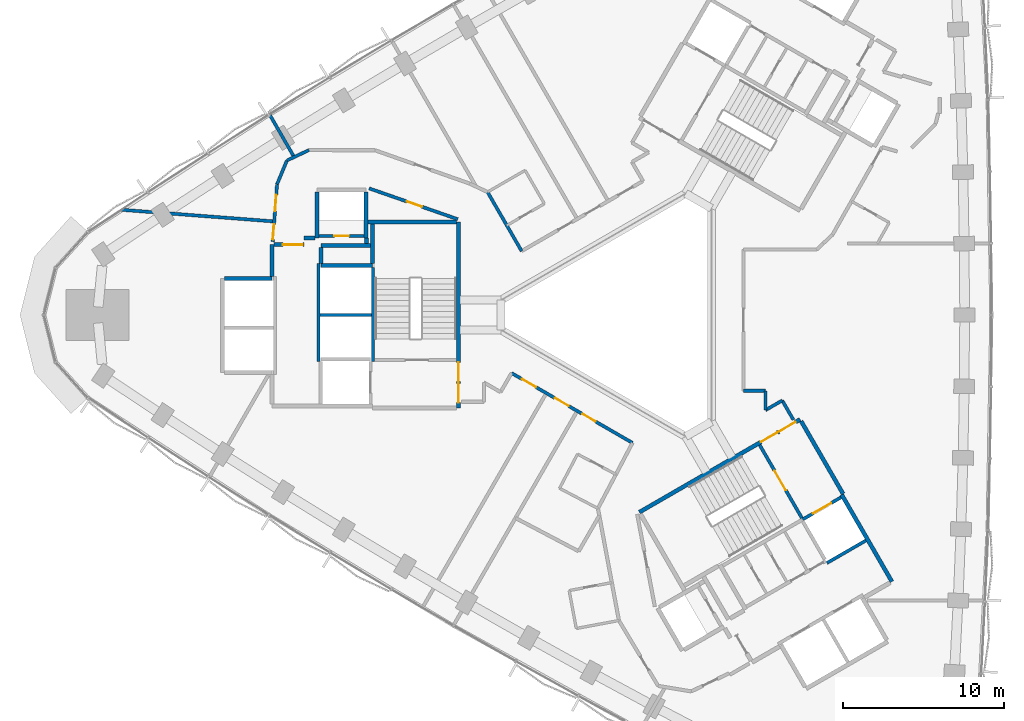
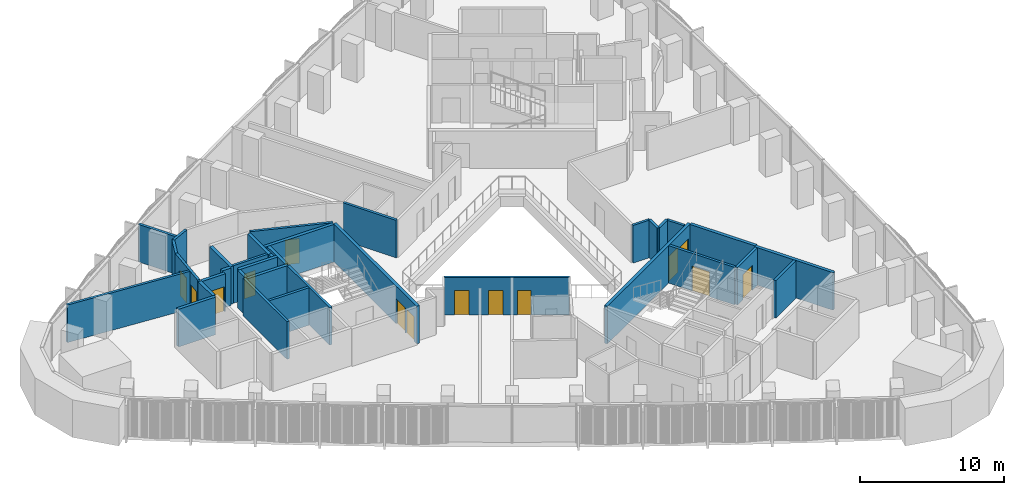
# One storey, part 9 of 15: 35 walls, 14 doors, 14 openings.
"""IFC4 building model written with IfcOpenShell, lengths in metres."""

import ifcopenshell
import ifcopenshell.guid

model = None  # the IFC model being written
_history = None  # IfcOwnerHistory: only IFC2X3 demands one
_inside = {}  # id of a spatial element -> (the spatial element, [elements in it])
_under = {}  # id of a project, library or spatial element -> (it, [spatial elements below it])
_declared = {}  # id of a project -> (the project, [libraries it declares])
_typed = {}  # id of a type object -> (the type object, [elements of that type])
_made_of = {}  # id of a material, layer set ... -> (it, [elements and type objects made of it])


def new_model(schema):
    """Start an empty IFC model of exactly this schema.

    Asked for "IFC4X3", IfcOpenShell would pick the latest addendum, in which some entities
    have other attributes; the version numbers below select the first issue.
    IFC2X3 requires an IfcOwnerHistory on every rooted entity: one is made here for all.
    """
    global model, _history
    if schema == "IFC4X3":
        model = ifcopenshell.file(schema_version=(4, 3, 0, 0))
    else:
        model = ifcopenshell.file(schema=schema)
    _inside.clear()
    _under.clear()
    _declared.clear()
    _typed.clear()
    _made_of.clear()
    _history = None
    if model.schema == "IFC2X3":
        org = make("IfcOrganization", Name="unknown")
        user = make(
            "IfcPersonAndOrganization",
            ThePerson=make("IfcPerson", FamilyName="unknown"),
            TheOrganization=org,
        )
        app = make(
            "IfcApplication",
            ApplicationDeveloper=org,
            Version="unknown",
            ApplicationFullName="unknown",
            ApplicationIdentifier="unknown",
        )
        _history = make(
            "IfcOwnerHistory",
            OwningUser=user,
            OwningApplication=app,
            ChangeAction="ADDED",
            CreationDate=0,
        )
    return model


def make(cls, **values):
    """One entity of the class cls with the attributes given. An attribute that is None is left unset."""
    return model.create_entity(
        cls, **{name: value for name, value in values.items() if value is not None}
    )


def rooted(cls, **values):
    """An entity with a GlobalId (a new one), such as an element, a storey or a relation."""
    return make(cls, GlobalId=ifcopenshell.guid.new(), OwnerHistory=_history, **values)


def si_unit(unit_type, name, prefix=None):
    """IfcSIUnit, for example si_unit("LENGTHUNIT", "METRE", prefix="MILLI")."""
    return make("IfcSIUnit", UnitType=unit_type, Prefix=prefix, Name=name)


def assignment(units):
    """IfcUnitAssignment: the units of a project."""
    return None if units is None else make("IfcUnitAssignment", Units=units)


def point(xyz):
    """IfcCartesianPoint."""
    return None if xyz is None else make("IfcCartesianPoint", Coordinates=xyz)


def direction(xyz):
    """IfcDirection."""
    return None if xyz is None else make("IfcDirection", DirectionRatios=xyz)


def frame(location, z_axis=None, x_axis=None):
    """IfcAxis2Placement3D, a coordinate frame: its origin and axes. An axis left out is left unset."""
    return make(
        "IfcAxis2Placement3D",
        Location=point(location),
        Axis=direction(z_axis),
        RefDirection=direction(x_axis),
    )


def frame_2d(location, x_axis=None):
    """IfcAxis2Placement2D, a coordinate frame in the plane: its origin and x axis."""
    return make(
        "IfcAxis2Placement2D", Location=point(location), RefDirection=direction(x_axis)
    )


def origin():
    """The frame at (0, 0, 0) with its axes left unset."""
    return frame((0.0, 0.0, 0.0))


def place(relative_to, where):
    """IfcLocalPlacement: puts the frame where relative to a parent placement (None: the world)."""
    return make(
        "IfcLocalPlacement", PlacementRelTo=relative_to, RelativePlacement=where
    )


def context(
    kind, dimensions, precision=None, world=None, true_north=None, identifier=None
):
    """IfcGeometricRepresentationContext, for example the 3D "Model" context."""
    return make(
        "IfcGeometricRepresentationContext",
        ContextIdentifier=identifier,
        ContextType=kind,
        CoordinateSpaceDimension=dimensions,
        Precision=precision,
        WorldCoordinateSystem=world,
        TrueNorth=true_north,
    )


def subcontext(parent, identifier, kind, view, scale=None):
    """IfcGeometricRepresentationSubContext, for example "Body" below "Model"."""
    return make(
        "IfcGeometricRepresentationSubContext",
        ContextIdentifier=identifier,
        ContextType=kind,
        ParentContext=parent,
        TargetScale=scale,
        TargetView=view,
    )


def project(units=None, contexts=None):
    """IfcProject with its units and contexts."""
    return rooted(
        "IfcProject",
        Name="project",
        RepresentationContexts=contexts,
        UnitsInContext=assignment(units),
    )


def spatial(cls, under=None, at=None, **own):
    """A site, building, storey or space (cls), placed at a placement, below another one or the project."""
    s = rooted(cls, ObjectPlacement=at, **own)
    if under is not None:
        _under.setdefault(under.id(), (under, []))[1].append(s)
    return s


def profile(cls, at=None, kind="AREA", **sizes):
    """A parametric profile (cls). Its sizes go by their IFC names, for example OverallWidth=200.0."""
    return make(cls, ProfileType=kind, Position=at, **sizes)


def rectangle(**sizes):
    """IfcRectangleProfileDef."""
    return profile("IfcRectangleProfileDef", **sizes)


def extrude(swept, where, along, depth):
    """IfcExtrudedAreaSolid: the profile swept, set in the frame where, extruded along a direction by depth."""
    return make(
        "IfcExtrudedAreaSolid",
        SweptArea=swept,
        Position=where,
        ExtrudedDirection=direction(along),
        Depth=depth,
    )


def shape(context_of_items, identifier, shape_type, items):
    """IfcShapeRepresentation: the items that make up one representation, for example the "Body"."""
    return make(
        "IfcShapeRepresentation",
        ContextOfItems=context_of_items,
        RepresentationIdentifier=identifier,
        RepresentationType=shape_type,
        Items=items,
    )


def material(Name=None, Category=None):
    """IfcMaterial."""
    return make("IfcMaterial", Name=Name, Category=Category)


def layer(
    of_material, thickness, ventilated=None, Name=None, Category=None, Priority=None
):
    """IfcMaterialLayer: one layer of a wall or slab, of a material (None: an air gap)."""
    return make(
        "IfcMaterialLayer",
        Material=of_material,
        LayerThickness=thickness,
        IsVentilated=ventilated,
        Name=Name,
        Category=Category,
        Priority=Priority,
    )


def layer_set(layers, Name=None):
    """IfcMaterialLayerSet."""
    return make("IfcMaterialLayerSet", MaterialLayers=layers, LayerSetName=Name)


def made_of(thing, what):
    """Note that an element or type object is made of a material, layer set ...; save() writes the relation."""
    if what is not None:
        _made_of.setdefault(what.id(), (what, []))[1].append(thing)
    return thing


def type_object(cls, material=None, **own):
    """A type object (cls), such as IfcWallType, which elements share."""
    return made_of(rooted(cls, **own), material)


def element(
    cls,
    number,
    at=None,
    inside=None,
    cuts=None,
    type_object=None,
    material=None,
    context=None,
    identifier="Body",
    shape_type=None,
    held_by="IfcProductDefinitionShape",
    body=None,
    shapes=None,
    **own,
):
    """One element of the class cls, such as IfcWall. Its Tag is "e" and its number.

    at: its placement. inside: the storey or other place that contains it. cuts: it is an
    opening in that element (IfcRelVoidsElement). A single representation is given by context,
    identifier, shape_type and body (its items); several are given by shapes. held_by: the class
    of the entity that holds the representations. save() writes the other relations.
    """
    e = rooted(cls, Tag="e%d" % number, ObjectPlacement=at, **own)
    if body is not None:
        shapes = [shape(context, identifier, shape_type, body)]
    if shapes is not None:
        e.Representation = make(held_by, Representations=shapes)
    if inside is not None:
        _inside.setdefault(inside.id(), (inside, []))[1].append(e)
    if cuts is not None:
        rooted(
            "IfcRelVoidsElement", RelatingBuildingElement=cuts, RelatedOpeningElement=e
        )
    if type_object is not None:
        _typed.setdefault(type_object.id(), (type_object, []))[1].append(e)
    return made_of(e, material)


def fill(opening, filler):
    """IfcRelFillsElement: the door or window that sits in an opening."""
    return rooted(
        "IfcRelFillsElement",
        RelatingOpeningElement=opening,
        RelatedBuildingElement=filler,
    )


def aggregate(whole, parts):
    """IfcRelAggregates: a whole, such as a stair, and the parts it consists of."""
    return rooted("IfcRelAggregates", RelatingObject=whole, RelatedObjects=parts)


def save(model, path):
    """Write the relations noted so far, then the file.

    IfcRelAggregates (storeys below a building ...), IfcRelContainedInSpatialStructure (elements
    in a storey), IfcRelDefinesByType, IfcRelAssociatesMaterial and IfcRelDeclares: one each for
    every whole, place, type object, material and project.
    """
    for whole, parts in _under.values():
        aggregate(whole, parts)
    for where, things in _inside.values():
        rooted(
            "IfcRelContainedInSpatialStructure",
            RelatedElements=things,
            RelatingStructure=where,
        )
    for kind, things in _typed.values():
        rooted("IfcRelDefinesByType", RelatedObjects=things, RelatingType=kind)
    for what, things in _made_of.values():
        rooted("IfcRelAssociatesMaterial", RelatedObjects=things, RelatingMaterial=what)
    for by, libraries in _declared.values():
        rooted("IfcRelDeclares", RelatingContext=by, RelatedDefinitions=libraries)
    model.write(path)


model = new_model("IFC4")

# Units and contexts
model_context = context("Model", 3, precision=1e-05, world=origin(), true_north=direction((0.0, 1.0)))
body_context = subcontext(model_context, "Body", "Model", "MODEL_VIEW")
ifc_project = project(units=[si_unit("LENGTHUNIT", "METRE"), si_unit("AREAUNIT", "SQUARE_METRE"), si_unit("VOLUMEUNIT", "CUBIC_METRE"), si_unit("PLANEANGLEUNIT", "RADIAN"), si_unit("MASSUNIT", "GRAM", prefix="KILO")], contexts=[model_context])

# Site, building, storey
site_placement = place(None, origin())
site = spatial("IfcSite", under=ifc_project, at=site_placement, CompositionType="ELEMENT")
building_placement = place(site_placement, origin())
building = spatial("IfcBuilding", under=site, at=building_placement, Name="Tamra Quay Hotel Tower", CompositionType="ELEMENT")
storey_placement = place(building_placement, frame((0.0, 0.0, 86.60009765625)))
storey = spatial("IfcBuildingStorey", under=building, at=storey_placement, Name="L20", CompositionType="ELEMENT", Elevation=86.60009765625)

# Walls
ifc_material_1 = material(Name="Concrete M70", Category="concrete")
ifc_layer_1 = layer(ifc_material_1, 0.199951171875)
ifc_layer_set_1 = layer_set([ifc_layer_1], Name="Concrete M70 core wall 200")
wall_type_1 = type_object("IfcWallType", Name="Concrete M70 core wall 200", PredefinedType="SHEAR", material=ifc_layer_set_1)
wall_1_placement = place(storey_placement, frame((-16.162109375, 2.95068359375, 0.0), z_axis=(0.0, 0.0, 1.0), x_axis=(0.0, -1.0, 0.0)))
element("IfcWall", 1, at=wall_1_placement, inside=storey, type_object=wall_type_1, Name="CW2", PredefinedType="SHEAR", context=body_context, shape_type="SweptSolid", body=[
    extrude(rectangle(XDim=5.850830078125, YDim=0.199951171875, at=frame_2d((2.92529296875, 0.0))), origin(), (0.0, 0.0, 1.0), 3.1748046875),
])
wall_2_placement = place(storey_placement, frame((-19.5625, -2.900146484375, 0.0), z_axis=(0.0, 0.0, 1.0), x_axis=(0.0, 1.0, 0.0)))
element("IfcWall", 2, at=wall_2_placement, inside=storey, type_object=wall_type_1, Name="CW2", PredefinedType="SHEAR", context=body_context, shape_type="SweptSolid", body=[
    extrude(rectangle(XDim=6.100341796875, YDim=0.199951171875, at=frame_2d((3.05029296875, 0.0))), origin(), (0.0, 0.0, 1.0), 3.1748046875),
])
wall_3_placement = place(storey_placement, frame((-16.26318359375, 0.0, 0.0), z_axis=(0.0, 0.0, 1.0), x_axis=(-1.0, 0.0, 0.0)))
element("IfcWall", 3, at=wall_3_placement, inside=storey, type_object=wall_type_1, Name="CW2", PredefinedType="SHEAR", context=body_context, shape_type="SweptSolid", body=[
    extrude(rectangle(XDim=3.1982421875, YDim=0.199951171875, at=frame_2d((1.59912109375, 0.0))), origin(), (0.0, 0.0, 1.0), 3.1748046875),
])

# Wall, opening, door
wall_4_placement = place(storey_placement, frame((-19.51123046875, 4.91015625, 0.0), z_axis=(0.0, 0.0, 1.0), x_axis=(1.0, 0.0, 0.0)))
wall_4 = element("IfcWall", 4, at=wall_4_placement, inside=storey, type_object=wall_type_1, Name="CW2", PredefinedType="SHEAR", context=body_context, shape_type="SweptSolid", body=[
    extrude(rectangle(XDim=2.7978515625, YDim=0.199951171875, at=frame_2d((1.39892578125, 0.0))), origin(), (0.0, 0.0, 1.0), 3.1748046875),
])
opening_1_placement = place(wall_4_placement, frame((0.948974609375, 0.0, 0.0)))
opening_1 = element("IfcOpeningElement", 5, at=opening_1_placement, cuts=wall_4, Name="Opening D1", PredefinedType="OPENING", context=body_context, shape_type="SweptSolid", body=[
    extrude(rectangle(XDim=0.89990234375, YDim=2.10009765625, at=frame_2d((0.449951171875, 1.050048828125))), frame((0.0, 0.10986328125, 0.0), z_axis=(0.0, -1.0, 0.0), x_axis=(1.0, 0.0, 0.0)), (0.0, 0.0, 1.0), 0.219970703125),
])
ifc_material_2 = material(Name="Core door D1 900x2100 RH")
door_type_1 = type_object("IfcDoorType", Name="Core door D1 900x2100 RH", OperationType="NOTDEFINED", PredefinedType="DOOR", material=ifc_material_2)
door_1_placement = place(opening_1_placement, origin())
door_1 = element("IfcDoor", 6, at=door_1_placement, inside=storey, type_object=door_type_1, Name="D1", OperationType="SINGLE_SWING_RIGHT", OverallHeight=2.10009765625, OverallWidth=0.89990234375, PredefinedType="DOOR", context=body_context, shape_type="SweptSolid", body=[
    extrude(rectangle(XDim=0.89990234375, YDim=2.10009765625, at=frame_2d((0.449951171875, 1.050048828125))), frame((0.0, 0.02490234375, 0.0), z_axis=(0.0, -1.0, 0.0), x_axis=(1.0, 0.0, 0.0)), (0.0, 0.0, 1.0), 0.050048828125),
])
fill(opening_1, door_1)

wall_5_placement = place(storey_placement, frame((7.906494140625, -8.094482421875, 0.0), z_axis=(0.0, 0.0, 1.0), x_axis=(0.500024287448, -0.866011380966, 0.0)))
wall_5 = element("IfcWall", 7, at=wall_5_placement, inside=storey, type_object=wall_type_1, Name="CW2", PredefinedType="SHEAR", context=body_context, shape_type="SweptSolid", body=[
    extrude(rectangle(XDim=5.251220703125, YDim=0.199951171875, at=frame_2d((2.62548828125, 0.0))), origin(), (0.0, 0.0, 1.0), 3.1748046875),
])
opening_2_placement = place(wall_5_placement, frame((1.84912109375, 0.0, 0.0)))
opening_2 = element("IfcOpeningElement", 8, at=opening_2_placement, cuts=wall_5, Name="Opening FD2", PredefinedType="OPENING", context=body_context, shape_type="SweptSolid", body=[
    extrude(rectangle(XDim=1.39990234375, YDim=2.10009765625, at=frame_2d((0.699951171875, 1.050048828125))), frame((0.0, 0.10986328125, 0.0), z_axis=(0.0, -1.0, 0.0), x_axis=(1.0, 0.0, 0.0)), (0.0, 0.0, 1.0), 0.219970703125),
])
ifc_material_3 = material(Name="Core door FD2 1400x2100 RH")
door_type_2 = type_object("IfcDoorType", Name="Core door FD2 1400x2100 RH", OperationType="NOTDEFINED", PredefinedType="DOOR", material=ifc_material_3)
door_2_placement = place(opening_2_placement, origin())
door_2 = element("IfcDoor", 9, at=door_2_placement, inside=storey, type_object=door_type_2, Name="FD2", OperationType="SINGLE_SWING_RIGHT", OverallHeight=2.10009765625, OverallWidth=1.39990234375, PredefinedType="DOOR", context=body_context, shape_type="SweptSolid", body=[
    extrude(rectangle(XDim=1.39990234375, YDim=2.10009765625, at=frame_2d((0.699951171875, 1.050048828125))), frame((0.0, 0.02490234375, 0.0), z_axis=(0.0, -1.0, 0.0), x_axis=(1.0, 0.0, 0.0)), (0.0, 0.0, 1.0), 0.050048828125),
])
fill(opening_2, door_2)

wall_6_placement = place(storey_placement, frame((10.587158203125, -12.72314453125, 0.0), z_axis=(0.0, 0.0, 1.0), x_axis=(0.866037306777, 0.499979382845, 0.0)))
wall_6 = element("IfcWall", 10, at=wall_6_placement, inside=storey, type_object=wall_type_1, Name="CW2", PredefinedType="SHEAR", context=body_context, shape_type="SweptSolid", body=[
    extrude(rectangle(XDim=2.74169921875, YDim=0.199951171875, at=frame_2d((1.370849609375, 0.0))), origin(), (0.0, 0.0, 1.0), 3.1748046875),
])
opening_3_placement = place(wall_6_placement, frame((0.742919921875, 0.0, 0.0)))
opening_3 = element("IfcOpeningElement", 11, at=opening_3_placement, cuts=wall_6, Name="Opening LD", PredefinedType="OPENING", context=body_context, shape_type="SweptSolid", body=[
    extrude(rectangle(XDim=1.300048828125, YDim=2.10009765625, at=frame_2d((0.64990234375, 1.050048828125))), frame((0.0, 0.10986328125, 0.0), z_axis=(0.0, -1.0, 0.0), x_axis=(1.0, 0.0, 0.0)), (0.0, 0.0, 1.0), 0.219970703125),
])
ifc_material_4 = material(Name="Landing door LD 1300 sliding to right")
door_type_3 = type_object("IfcDoorType", Name="Landing door LD 1300 sliding to right", OperationType="NOTDEFINED", PredefinedType="DOOR", material=ifc_material_4)
door_3_placement = place(opening_3_placement, origin())
door_3 = element("IfcDoor", 12, at=door_3_placement, inside=storey, type_object=door_type_3, Name="LD", OperationType="SLIDING_TO_RIGHT", OverallHeight=2.10009765625, OverallWidth=1.300048828125, PredefinedType="DOOR", context=body_context, shape_type="SweptSolid", body=[
    extrude(rectangle(XDim=1.300048828125, YDim=2.10009765625, at=frame_2d((0.64990234375, 1.050048828125))), frame((0.0, 0.02490234375, 0.0), z_axis=(0.0, -1.0, 0.0), x_axis=(1.0, 0.0, 0.0)), (0.0, 0.0, 1.0), 0.050048828125),
])
fill(opening_3, door_3)

# Wall
wall_7_placement = place(storey_placement, frame((14.51171875, -14.037109375, 0.0), z_axis=(0.0, 0.0, 1.0), x_axis=(-0.866044696403, -0.499966582715, 0.0)))
element("IfcWall", 13, at=wall_7_placement, inside=storey, type_object=wall_type_1, Name="CW2", PredefinedType="SHEAR", context=body_context, shape_type="SweptSolid", body=[
    extrude(rectangle(XDim=2.799072265625, YDim=0.199951171875, at=frame_2d((1.3994140625, 0.0))), origin(), (0.0, 0.0, 1.0), 3.1748046875),
])

# Wall, openings, doors
ifc_layer_2 = layer(ifc_material_1, 0.25)
ifc_layer_set_2 = layer_set([ifc_layer_2], Name="Concrete M70 core wall 250")
wall_type_2 = type_object("IfcWallType", Name="Concrete M70 core wall 250", PredefinedType="SHEAR", material=ifc_layer_set_2)
wall_8_placement = place(storey_placement, frame((-10.83740234375, 5.77490234375, 0.0), z_axis=(0.0, 0.0, 1.0), x_axis=(0.0, -1.0, 0.0)))
wall_8 = element("IfcWall", 14, at=wall_8_placement, inside=storey, type_object=wall_type_2, Name="CW1", PredefinedType="SHEAR", context=body_context, shape_type="SweptSolid", body=[
    extrude(rectangle(XDim=11.5498046875, YDim=0.25, at=frame_2d((5.77490234375, 0.0))), origin(), (0.0, 0.0, 1.0), 3.1748046875),
])
opening_4_placement = place(wall_8_placement, frame((10.02490234375, 0.0, 0.0)))
opening_4 = element("IfcOpeningElement", 15, at=opening_4_placement, cuts=wall_8, Name="Opening FD1", PredefinedType="OPENING", context=body_context, shape_type="SweptSolid", body=[
    extrude(rectangle(XDim=1.199951171875, YDim=2.10009765625, at=frame_2d((0.60009765625, 1.050048828125))), frame((0.0, 0.135009765625, 0.0), z_axis=(0.0, -1.0, 0.0), x_axis=(1.0, 0.0, 0.0)), (0.0, 0.0, 1.0), 0.27001953125),
])
opening_5_placement = place(wall_8_placement, frame((8.72509765625, 0.0, 0.0)))
opening_5 = element("IfcOpeningElement", 16, at=opening_5_placement, cuts=wall_8, Name="Opening FD1", PredefinedType="OPENING", context=body_context, shape_type="SweptSolid", body=[
    extrude(rectangle(XDim=1.199951171875, YDim=2.10009765625, at=frame_2d((0.60009765625, 1.050048828125))), frame((0.0, 0.135009765625, 0.0), z_axis=(0.0, -1.0, 0.0), x_axis=(1.0, 0.0, 0.0)), (0.0, 0.0, 1.0), 0.27001953125),
])
ifc_material_5 = material(Name="Core door FD1 1200x2100 LH")
door_type_4 = type_object("IfcDoorType", Name="Core door FD1 1200x2100 LH", OperationType="NOTDEFINED", PredefinedType="DOOR", material=ifc_material_5)
door_4_placement = place(opening_4_placement, origin())
door_4 = element("IfcDoor", 17, at=door_4_placement, inside=storey, type_object=door_type_4, Name="FD1", OperationType="SINGLE_SWING_LEFT", OverallHeight=2.10009765625, OverallWidth=1.199951171875, PredefinedType="DOOR", context=body_context, shape_type="SweptSolid", body=[
    extrude(rectangle(XDim=1.199951171875, YDim=2.10009765625, at=frame_2d((0.60009765625, 1.050048828125))), frame((0.0, 0.02490234375, 0.0), z_axis=(0.0, -1.0, 0.0), x_axis=(1.0, 0.0, 0.0)), (0.0, 0.0, 1.0), 0.050048828125),
])
fill(opening_4, door_4)
ifc_material_6 = material(Name="Core door FD1 1200x2100 RH")
door_type_5 = type_object("IfcDoorType", Name="Core door FD1 1200x2100 RH", OperationType="NOTDEFINED", PredefinedType="DOOR", material=ifc_material_6)
door_5_placement = place(opening_5_placement, origin())
door_5 = element("IfcDoor", 18, at=door_5_placement, inside=storey, type_object=door_type_5, Name="FD1", OperationType="SINGLE_SWING_RIGHT", OverallHeight=2.10009765625, OverallWidth=1.199951171875, PredefinedType="DOOR", context=body_context, shape_type="SweptSolid", body=[
    extrude(rectangle(XDim=1.199951171875, YDim=2.10009765625, at=frame_2d((0.60009765625, 1.050048828125))), frame((0.0, 0.02490234375, 0.0), z_axis=(0.0, -1.0, 0.0), x_axis=(1.0, 0.0, 0.0)), (0.0, 0.0, 1.0), 0.050048828125),
])
fill(opening_5, door_5)

# Walls
wall_9_placement = place(storey_placement, frame((-16.47216796875, 5.77490234375, 0.0), z_axis=(0.0, 0.0, 1.0), x_axis=(1.0, 0.0, 0.0)))
element("IfcWall", 19, at=wall_9_placement, inside=storey, type_object=wall_type_2, Name="CW1", PredefinedType="SHEAR", context=body_context, shape_type="SweptSolid", body=[
    extrude(rectangle(XDim=5.509521484375, YDim=0.25, at=frame_2d((2.7548828125, 0.0))), origin(), (0.0, 0.0, 1.0), 3.1748046875),
])
wall_10_placement = place(storey_placement, frame((-19.38720703125, 3.074951171875, 0.0), z_axis=(0.0, 0.0, 1.0), x_axis=(1.0, 0.0, 0.0)))
element("IfcWall", 20, at=wall_10_placement, inside=storey, type_object=wall_type_2, Name="CW1", PredefinedType="SHEAR", context=body_context, shape_type="SweptSolid", body=[
    extrude(rectangle(XDim=3.199951171875, YDim=0.25, at=frame_2d((1.60009765625, 0.0))), origin(), (0.0, 0.0, 1.0), 3.1748046875),
])
wall_11_placement = place(storey_placement, frame((-25.411865234375, 2.27490234375, 0.0), z_axis=(0.0, 0.0, 1.0), x_axis=(1.0, 0.0, 0.0)))
element("IfcWall", 21, at=wall_11_placement, inside=storey, type_object=wall_type_2, Name="CW1", PredefinedType="SHEAR", context=body_context, shape_type="SweptSolid", body=[
    extrude(rectangle(XDim=2.974609375, YDim=0.25, at=frame_2d((1.4873046875, 0.0))), origin(), (0.0, 0.0, 1.0), 3.1748046875),
])
for number, where, z_axis, x_axis, name in (
    (22, (-16.58740234375, 7.649658203125, 0.0), (0.0, 0.0, 1.0), (0.0, -1.0, 0.0), "CW1"),
    (23, (-19.63720703125, 4.784912109375, 0.0), (0.0, 0.0, 1.0), (0.0, 1.0, 0.0), "CW1"),
):
    element("IfcWall", number, at=place(storey_placement, frame(where, z_axis=z_axis, x_axis=x_axis)), inside=storey, type_object=wall_type_2, Name=name, PredefinedType="SHEAR", context=body_context, shape_type="SweptSolid", body=[
        extrude(rectangle(XDim=2.86474609375, YDim=0.25, at=frame_2d((1.432373046875, 0.0))), origin(), (0.0, 0.0, 1.0), 3.1748046875),
    ])
wall_12_placement = place(storey_placement, frame((-16.30224609375, 4.31494140625, 0.0), z_axis=(0.0, 0.0, 1.0), x_axis=(-1.0, 0.0, 0.0)))
element("IfcWall", 24, at=wall_12_placement, inside=storey, type_object=wall_type_2, Name="CW1", PredefinedType="SHEAR", context=body_context, shape_type="SweptSolid", body=[
    extrude(rectangle(XDim=3.0849609375, YDim=0.25, at=frame_2d((1.54248046875, 0.0))), origin(), (0.0, 0.0, 1.0), 3.1748046875),
])
wall_13_placement = place(storey_placement, frame((-16.187255859375, 3.200439453125, 0.0), z_axis=(0.0, 0.0, 1.0), x_axis=(0.0, 1.0, 0.0)))
element("IfcWall", 25, at=wall_13_placement, inside=storey, type_object=wall_type_2, Name="CW1", PredefinedType="SHEAR", context=body_context, shape_type="SweptSolid", body=[
    extrude(rectangle(XDim=2.44921875, YDim=0.25, at=frame_2d((1.224609375, 0.0))), origin(), (0.0, 0.0, 1.0), 3.1748046875),
])
wall_14_placement = place(storey_placement, frame((-22.437255859375, 2.400390625, 0.0), z_axis=(0.0, 0.0, 1.0), x_axis=(0.0, 1.0, 0.0)))
element("IfcWall", 26, at=wall_14_placement, inside=storey, type_object=wall_type_2, Name="CW1", PredefinedType="SHEAR", context=body_context, shape_type="SweptSolid", body=[
    extrude(rectangle(XDim=1.974609375, YDim=0.25, at=frame_2d((0.9873046875, 0.0))), origin(), (0.0, 0.0, 1.0), 3.1748046875),
])

# Wall, opening, door
wall_15_placement = place(storey_placement, frame((-22.311767578125, 4.375, 0.0), z_axis=(0.0, 0.0, 1.0), x_axis=(1.0, 0.0, 0.0)))
wall_15 = element("IfcWall", 27, at=wall_15_placement, inside=storey, type_object=wall_type_2, Name="CW1", PredefinedType="SHEAR", context=body_context, shape_type="SweptSolid", body=[
    extrude(rectangle(XDim=1.864501953125, YDim=0.25, at=frame_2d((0.93212890625, 0.0))), origin(), (0.0, 0.0, 1.0), 3.1748046875),
])
opening_6_placement = place(wall_15_placement, frame((0.53466796875, 0.0, 0.0)))
opening_6 = element("IfcOpeningElement", 28, at=opening_6_placement, cuts=wall_15, Name="Opening FD3", PredefinedType="OPENING", context=body_context, shape_type="SweptSolid", body=[
    extrude(rectangle(XDim=1.25, YDim=2.10009765625, at=frame_2d((0.625, 1.050048828125))), frame((0.0, 0.135009765625, 0.0), z_axis=(0.0, -1.0, 0.0), x_axis=(1.0, 0.0, 0.0)), (0.0, 0.0, 1.0), 0.27001953125),
])
ifc_material_7 = material(Name="Core door FD3 1250x2100 LH")
door_type_6 = type_object("IfcDoorType", Name="Core door FD3 1250x2100 LH", OperationType="NOTDEFINED", PredefinedType="DOOR", material=ifc_material_7)
door_6_placement = place(opening_6_placement, origin())
door_6 = element("IfcDoor", 29, at=door_6_placement, inside=storey, type_object=door_type_6, Name="FD3", OperationType="SINGLE_SWING_LEFT", OverallHeight=2.10009765625, OverallWidth=1.25, PredefinedType="DOOR", context=body_context, shape_type="SweptSolid", body=[
    extrude(rectangle(XDim=1.25, YDim=2.10009765625, at=frame_2d((0.625, 1.050048828125))), frame((0.0, 0.02490234375, 0.0), z_axis=(0.0, -1.0, 0.0), x_axis=(1.0, 0.0, 0.0)), (0.0, 0.0, 1.0), 0.050048828125),
])
fill(opening_6, door_6)

# Walls
wall_16_placement = place(storey_placement, frame((-19.38720703125, 4.189697265625, 0.0), z_axis=(0.0, 0.0, 1.0), x_axis=(0.0, -1.0, 0.0)))
element("IfcWall", 30, at=wall_16_placement, inside=storey, type_object=wall_type_2, Name="CW1", PredefinedType="SHEAR", context=body_context, shape_type="SweptSolid", body=[
    extrude(rectangle(XDim=0.9892578125, YDim=0.25, at=frame_2d((0.49462890625, 0.0))), origin(), (0.0, 0.0, 1.0), 3.1748046875),
])
wall_17_placement = place(storey_placement, frame((-20.447265625, 4.784912109375, 0.0), z_axis=(0.0, 0.0, 1.0), x_axis=(1.0, 0.0, 0.0)))
element("IfcWall", 31, at=wall_17_placement, inside=storey, type_object=wall_type_2, Name="CW1", PredefinedType="SHEAR", context=body_context, shape_type="SweptSolid", body=[
    extrude(rectangle(XDim=0.6845703125, YDim=0.25, at=frame_2d((0.34228515625, 0.0))), origin(), (0.0, 0.0, 1.0), 3.1748046875),
])
wall_18_placement = place(storey_placement, frame((-16.577392578125, 4.784912109375, 0.0), z_axis=(0.0, 0.0, 1.0), x_axis=(0.0, -1.0, 0.0)))
element("IfcWall", 32, at=wall_18_placement, inside=storey, type_object=wall_type_2, Name="CW1", PredefinedType="SHEAR", context=body_context, shape_type="SweptSolid", body=[
    extrude(rectangle(XDim=0.344482421875, YDim=0.25, at=frame_2d((0.17236328125, 0.0))), origin(), (0.0, 0.0, 1.0), 3.1748046875),
])

# Wall, openings, doors
wall_19_placement = place(storey_placement, frame((0.417236328125, -12.27294921875, 0.0), z_axis=(0.0, 0.0, 1.0), x_axis=(0.866021906294, 0.500006057782, 0.0)))
wall_19 = element("IfcWall", 33, at=wall_19_placement, inside=storey, type_object=wall_type_2, Name="CW1", PredefinedType="SHEAR", context=body_context, shape_type="SweptSolid", body=[
    extrude(rectangle(XDim=11.550048828125, YDim=0.25, at=frame_2d((5.77490234375, 0.0))), origin(), (0.0, 0.0, 1.0), 3.1748046875),
])
opening_7_placement = place(wall_19_placement, frame((10.024658203125, 0.0, 0.0)))
opening_7 = element("IfcOpeningElement", 34, at=opening_7_placement, cuts=wall_19, Name="Opening FD1", PredefinedType="OPENING", context=body_context, shape_type="SweptSolid", body=[
    extrude(rectangle(XDim=1.199951171875, YDim=2.10009765625, at=frame_2d((0.60009765625, 1.050048828125))), frame((0.0, 0.135009765625, 0.0), z_axis=(0.0, -1.0, 0.0), x_axis=(1.0, 0.0, 0.0)), (0.0, 0.0, 1.0), 0.27001953125),
])
opening_8_placement = place(wall_19_placement, frame((8.724609375, 0.0, 0.0)))
opening_8 = element("IfcOpeningElement", 35, at=opening_8_placement, cuts=wall_19, Name="Opening FD1", PredefinedType="OPENING", context=body_context, shape_type="SweptSolid", body=[
    extrude(rectangle(XDim=1.199951171875, YDim=2.10009765625, at=frame_2d((0.60009765625, 1.050048828125))), frame((0.0, 0.135009765625, 0.0), z_axis=(0.0, -1.0, 0.0), x_axis=(1.0, 0.0, 0.0)), (0.0, 0.0, 1.0), 0.27001953125),
])
door_7_placement = place(opening_7_placement, origin())
door_7 = element("IfcDoor", 36, at=door_7_placement, inside=storey, type_object=door_type_4, Name="FD1", OperationType="SINGLE_SWING_LEFT", OverallHeight=2.10009765625, OverallWidth=1.199951171875, PredefinedType="DOOR", context=body_context, shape_type="SweptSolid", body=[
    extrude(rectangle(XDim=1.199951171875, YDim=2.10009765625, at=frame_2d((0.60009765625, 1.050048828125))), frame((0.0, 0.02490234375, 0.0), z_axis=(0.0, -1.0, 0.0), x_axis=(1.0, 0.0, 0.0)), (0.0, 0.0, 1.0), 0.050048828125),
])
fill(opening_7, door_7)
door_8_placement = place(opening_8_placement, origin())
door_8 = element("IfcDoor", 37, at=door_8_placement, inside=storey, type_object=door_type_5, Name="FD1", OperationType="SINGLE_SWING_RIGHT", OverallHeight=2.10009765625, OverallWidth=1.199951171875, PredefinedType="DOOR", context=body_context, shape_type="SweptSolid", body=[
    extrude(rectangle(XDim=1.199951171875, YDim=2.10009765625, at=frame_2d((0.60009765625, 1.050048828125))), frame((0.0, 0.02490234375, 0.0), z_axis=(0.0, -1.0, 0.0), x_axis=(1.0, 0.0, 0.0)), (0.0, 0.0, 1.0), 0.050048828125),
])
fill(opening_8, door_8)

# Walls
wall_20_placement = place(storey_placement, frame((13.00830078125, -11.18115234375, 0.0), z_axis=(0.0, 0.0, 1.0), x_axis=(0.500004234368, -0.866022959057, 0.0)))
element("IfcWall", 38, at=wall_20_placement, inside=storey, type_object=wall_type_2, Name="CW1", PredefinedType="SHEAR", context=body_context, shape_type="SweptSolid", body=[
    extrude(rectangle(XDim=6.25, YDim=0.25, at=frame_2d((3.125, 0.0))), origin(), (0.0, 0.0, 1.0), 3.1748046875),
])
wall_21_placement = place(storey_placement, frame((10.482666015625, -6.6064453125, 0.0), z_axis=(0.0, 0.0, 1.0), x_axis=(0.49999885962, -0.866026062182, 0.0)))
element("IfcWall", 39, at=wall_21_placement, inside=storey, type_object=wall_type_2, Name="CW1", PredefinedType="SHEAR", context=body_context, shape_type="SweptSolid", body=[
    extrude(rectangle(XDim=5.224609375, YDim=0.25, at=frame_2d((2.6123046875, 0.0))), origin(), (0.0, 0.0, 1.0), 3.1748046875),
])

# Wall, openings, doors
ifc_material_8 = material(Name="Partition corridor wall")
ifc_layer_3 = layer(ifc_material_8, 0.199951171875)
ifc_layer_set_3 = layer_set([ifc_layer_3], Name="Partition corridor wall")
wall_type_3 = type_object("IfcWallType", Name="Partition corridor wall", PredefinedType="PARTITIONING", material=ifc_layer_set_3)
wall_22_placement = place(storey_placement, frame((-22.407470703125, 4.56005859375, 0.0), z_axis=(0.0, 0.0, 1.0), x_axis=(0.076237605041, 0.997089678804, 0.0)))
wall_22 = element("IfcWall", 40, at=wall_22_placement, inside=storey, type_object=wall_type_3, Name="W-C", PredefinedType="PARTITIONING", context=body_context, shape_type="SweptSolid", body=[
    extrude(rectangle(XDim=3.580322265625, YDim=0.199951171875, at=frame_2d((1.7900390625, 0.0))), origin(), (0.0, 0.0, 1.0), 3.1748046875),
])
opening_9_placement = place(wall_22_placement, frame((0.139892578125, 0.0, 0.0)))
opening_9 = element("IfcOpeningElement", 41, at=opening_9_placement, cuts=wall_22, Name="Opening L20-D010", PredefinedType="OPENING", context=body_context, shape_type="SweptSolid", body=[
    extrude(rectangle(XDim=0.93994140625, YDim=2.10009765625, at=frame_2d((0.469970703125, 1.050048828125))), frame((0.0, 0.10986328125, 0.0), z_axis=(0.0, -1.0, 0.0), x_axis=(1.0, 0.0, 0.0)), (0.0, 0.0, 1.0), 0.219970703125),
])
opening_10_placement = place(wall_22_placement, frame((1.9169921875, 0.0, 0.0)))
opening_10 = element("IfcOpeningElement", 42, at=opening_10_placement, cuts=wall_22, Name="Opening L20-D011", PredefinedType="OPENING", context=body_context, shape_type="SweptSolid", body=[
    extrude(rectangle(XDim=1.0, YDim=2.10009765625, at=frame_2d((0.5, 1.050048828125))), frame((0.0, 0.10986328125, 0.0), z_axis=(0.0, -1.0, 0.0), x_axis=(1.0, 0.0, 0.0)), (0.0, 0.0, 1.0), 0.219970703125),
])
ifc_material_9 = material(Name="Door guest room 1000x2100")
door_type_7 = type_object("IfcDoorType", Name="Door guest room 1000x2100", OperationType="NOTDEFINED", PredefinedType="DOOR", material=ifc_material_9)
door_9_placement = place(opening_10_placement, origin())
door_9 = element("IfcDoor", 43, at=door_9_placement, inside=storey, type_object=door_type_7, Name="L20-D011", OperationType="SINGLE_SWING_LEFT", OverallHeight=2.10009765625, OverallWidth=1.0, PredefinedType="DOOR", context=body_context, shape_type="SweptSolid", body=[
    extrude(rectangle(XDim=1.0, YDim=2.10009765625, at=frame_2d((0.5, 1.050048828125))), frame((0.0, 0.02490234375, 0.0), z_axis=(0.0, -1.0, 0.0), x_axis=(1.0, 0.0, 0.0)), (0.0, 0.0, 1.0), 0.050048828125),
])
fill(opening_10, door_9)
ifc_material_10 = material(Name="Door guest room 940x2100")
door_type_8 = type_object("IfcDoorType", Name="Door guest room 940x2100", OperationType="NOTDEFINED", PredefinedType="DOOR", material=ifc_material_10)
door_10_placement = place(opening_9_placement, origin())
door_10 = element("IfcDoor", 44, at=door_10_placement, inside=storey, type_object=door_type_8, Name="L20-D010", OperationType="SINGLE_SWING_LEFT", OverallHeight=2.10009765625, OverallWidth=0.93994140625, PredefinedType="DOOR", context=body_context, shape_type="SweptSolid", body=[
    extrude(rectangle(XDim=0.93994140625, YDim=2.10009765625, at=frame_2d((0.469970703125, 1.050048828125))), frame((0.0, 0.02490234375, 0.0), z_axis=(0.0, -1.0, 0.0), x_axis=(1.0, 0.0, 0.0)), (0.0, 0.0, 1.0), 0.050048828125),
])
fill(opening_9, door_10)

# Walls
wall_23_placement = place(storey_placement, frame((-22.135009765625, 8.134033203125, 0.0), z_axis=(0.0, 0.0, 1.0), x_axis=(0.383208453534, 0.923661886807, 0.0)))
element("IfcWall", 45, at=wall_23_placement, inside=storey, type_object=wall_type_3, Name="W-C", PredefinedType="PARTITIONING", context=body_context, shape_type="SweptSolid", body=[
    extrude(rectangle(XDim=1.602294921875, YDim=0.199951171875, at=frame_2d((0.80126953125, 0.0))), origin(), (0.0, 0.0, 1.0), 3.1748046875),
])
wall_24_placement = place(storey_placement, frame((-21.521240234375, 9.614501953125, 0.0), z_axis=(0.0, 0.0, 1.0), x_axis=(0.904236611454, 0.427031790979, 0.0)))
element("IfcWall", 46, at=wall_24_placement, inside=storey, type_object=wall_type_3, Name="W-C", PredefinedType="PARTITIONING", context=body_context, shape_type="SweptSolid", body=[
    extrude(rectangle(XDim=1.52294921875, YDim=0.199951171875, at=frame_2d((0.761474609375, 0.0))), origin(), (0.0, 0.0, 1.0), 3.1748046875),
])

# Wall, opening, door
wall_25_placement = place(storey_placement, frame((-16.40234375, 7.879150390625, 0.0), z_axis=(0.0, 0.0, 1.0), x_axis=(0.94449961557, -0.328512520596, 0.0)))
wall_25 = element("IfcWall", 47, at=wall_25_placement, inside=storey, type_object=wall_type_3, Name="W-C", PredefinedType="PARTITIONING", context=body_context, shape_type="SweptSolid", body=[
    extrude(rectangle(XDim=5.842041015625, YDim=0.199951171875, at=frame_2d((2.9208984375, 0.0))), origin(), (0.0, 0.0, 1.0), 3.1748046875),
])
opening_11_placement = place(wall_25_placement, frame((2.47900390625, 0.0, 0.0)))
opening_11 = element("IfcOpeningElement", 48, at=opening_11_placement, cuts=wall_25, Name="Opening L20-D008", PredefinedType="OPENING", context=body_context, shape_type="SweptSolid", body=[
    extrude(rectangle(XDim=1.0, YDim=2.10009765625, at=frame_2d((0.5, 1.050048828125))), frame((0.0, 0.10986328125, 0.0), z_axis=(0.0, -1.0, 0.0), x_axis=(1.0, 0.0, 0.0)), (0.0, 0.0, 1.0), 0.219970703125),
])
door_11_placement = place(opening_11_placement, frame((1.0, 0.0, 0.0), z_axis=(0.0, 0.0, 1.0), x_axis=(-1.0, 0.0, 0.0)))
door_11 = element("IfcDoor", 49, at=door_11_placement, inside=storey, type_object=door_type_7, Name="L20-D008", OperationType="SINGLE_SWING_LEFT", OverallHeight=2.10009765625, OverallWidth=1.0, PredefinedType="DOOR", context=body_context, shape_type="SweptSolid", body=[
    extrude(rectangle(XDim=1.0, YDim=2.10009765625, at=frame_2d((0.5, 1.050048828125))), frame((0.0, 0.02490234375, 0.0), z_axis=(0.0, -1.0, 0.0), x_axis=(1.0, 0.0, 0.0)), (0.0, 0.0, 1.0), 0.050048828125),
])
fill(opening_11, door_11)

# Wall
wall_26_placement = place(storey_placement, frame((-9.033203125, 7.65185546875, 0.0), z_axis=(0.0, 0.0, 1.0), x_axis=(0.500117520489, -0.865957542666, 0.0)))
element("IfcWall", 50, at=wall_26_placement, inside=storey, type_object=wall_type_3, Name="W-C", PredefinedType="PARTITIONING", context=body_context, shape_type="SweptSolid", body=[
    extrude(rectangle(XDim=4.24365234375, YDim=0.199951171875, at=frame_2d((2.121826171875, 0.0))), origin(), (0.0, 0.0, 1.0), 3.1748046875),
])

# Wall, openings, doors
wall_27_placement = place(storey_placement, frame((-7.5390625, -3.614990234375, 0.0), z_axis=(0.0, 0.0, 1.0), x_axis=(0.866057854762, -0.499943789046, 0.0)))
wall_27 = element("IfcWall", 51, at=wall_27_placement, inside=storey, type_object=wall_type_3, Name="W-C", PredefinedType="PARTITIONING", context=body_context, shape_type="SweptSolid", body=[
    extrude(rectangle(XDim=8.68896484375, YDim=0.199951171875, at=frame_2d((4.344482421875, 0.0))), origin(), (0.0, 0.0, 1.0), 3.1748046875),
])
opening_12_placement = place(wall_27_placement, frame((0.755126953125, 0.0, 0.0)))
opening_12 = element("IfcOpeningElement", 52, at=opening_12_placement, cuts=wall_27, Name="Opening L20-D012", PredefinedType="OPENING", context=body_context, shape_type="SweptSolid", body=[
    extrude(rectangle(XDim=1.0, YDim=2.10009765625, at=frame_2d((0.5, 1.050048828125))), frame((0.0, 0.10986328125, 0.0), z_axis=(0.0, -1.0, 0.0), x_axis=(1.0, 0.0, 0.0)), (0.0, 0.0, 1.0), 0.219970703125),
])
opening_13_placement = place(wall_27_placement, frame((3.110107421875, 0.0, 0.0)))
opening_13 = element("IfcOpeningElement", 53, at=opening_13_placement, cuts=wall_27, Name="Opening L20-D013", PredefinedType="OPENING", context=body_context, shape_type="SweptSolid", body=[
    extrude(rectangle(XDim=1.0, YDim=2.10009765625, at=frame_2d((0.5, 1.050048828125))), frame((0.0, 0.10986328125, 0.0), z_axis=(0.0, -1.0, 0.0), x_axis=(1.0, 0.0, 0.0)), (0.0, 0.0, 1.0), 0.219970703125),
])
opening_14_placement = place(wall_27_placement, frame((5.0888671875, 0.0, 0.0)))
opening_14 = element("IfcOpeningElement", 54, at=opening_14_placement, cuts=wall_27, Name="Opening L20-D014", PredefinedType="OPENING", context=body_context, shape_type="SweptSolid", body=[
    extrude(rectangle(XDim=0.949951171875, YDim=2.10009765625, at=frame_2d((0.47509765625, 1.050048828125))), frame((0.0, 0.10986328125, 0.0), z_axis=(0.0, -1.0, 0.0), x_axis=(1.0, 0.0, 0.0)), (0.0, 0.0, 1.0), 0.219970703125),
])
door_12_placement = place(opening_12_placement, frame((1.0, 0.0, 0.0), z_axis=(0.0, 0.0, 1.0), x_axis=(-1.0, 0.0, 0.0)))
door_12 = element("IfcDoor", 55, at=door_12_placement, inside=storey, type_object=door_type_7, Name="L20-D012", OperationType="SINGLE_SWING_LEFT", OverallHeight=2.10009765625, OverallWidth=1.0, PredefinedType="DOOR", context=body_context, shape_type="SweptSolid", body=[
    extrude(rectangle(XDim=1.0, YDim=2.10009765625, at=frame_2d((0.5, 1.050048828125))), frame((0.0, 0.02490234375, 0.0), z_axis=(0.0, -1.0, 0.0), x_axis=(1.0, 0.0, 0.0)), (0.0, 0.0, 1.0), 0.050048828125),
])
fill(opening_12, door_12)
door_13_placement = place(opening_13_placement, frame((1.0, 0.0, 0.0), z_axis=(0.0, 0.0, 1.0), x_axis=(-1.0, 0.0, 0.0)))
door_13 = element("IfcDoor", 56, at=door_13_placement, inside=storey, type_object=door_type_7, Name="L20-D013", OperationType="SINGLE_SWING_LEFT", OverallHeight=2.10009765625, OverallWidth=1.0, PredefinedType="DOOR", context=body_context, shape_type="SweptSolid", body=[
    extrude(rectangle(XDim=1.0, YDim=2.10009765625, at=frame_2d((0.5, 1.050048828125))), frame((0.0, 0.02490234375, 0.0), z_axis=(0.0, -1.0, 0.0), x_axis=(1.0, 0.0, 0.0)), (0.0, 0.0, 1.0), 0.050048828125),
])
fill(opening_13, door_13)
ifc_material_11 = material(Name="Door guest room 950x2100")
door_type_9 = type_object("IfcDoorType", Name="Door guest room 950x2100", OperationType="NOTDEFINED", PredefinedType="DOOR", material=ifc_material_11)
door_14_placement = place(opening_14_placement, frame((0.949951171875, 0.0, 0.0), z_axis=(0.0, 0.0, 1.0), x_axis=(-1.0, 0.0, 0.0)))
door_14 = element("IfcDoor", 57, at=door_14_placement, inside=storey, type_object=door_type_9, Name="L20-D014", OperationType="SINGLE_SWING_LEFT", OverallHeight=2.10009765625, OverallWidth=0.949951171875, PredefinedType="DOOR", context=body_context, shape_type="SweptSolid", body=[
    extrude(rectangle(XDim=0.949951171875, YDim=2.10009765625, at=frame_2d((0.47509765625, 1.050048828125))), frame((0.0, 0.02490234375, 0.0), z_axis=(0.0, -1.0, 0.0), x_axis=(1.0, 0.0, 0.0)), (0.0, 0.0, 1.0), 0.050048828125),
])
fill(opening_14, door_14)

# Walls
wall_28_placement = place(storey_placement, frame((6.89990234375, -4.720947265625, 0.0), z_axis=(0.0, 0.0, 1.0), x_axis=(1.0, 0.0, 0.0)))
element("IfcWall", 58, at=wall_28_placement, inside=storey, type_object=wall_type_3, Name="W-C", PredefinedType="PARTITIONING", context=body_context, shape_type="SweptSolid", body=[
    extrude(rectangle(XDim=1.3681640625, YDim=0.199951171875, at=frame_2d((0.68408203125, 0.0))), origin(), (0.0, 0.0, 1.0), 3.1748046875),
])
wall_29_placement = place(storey_placement, frame((8.26806640625, -5.9208984375, 0.0), z_axis=(0.0, 0.0, 1.0), x_axis=(0.0, 1.0, 0.0)))
element("IfcWall", 59, at=wall_29_placement, inside=storey, type_object=wall_type_3, Name="W-C", PredefinedType="PARTITIONING", context=body_context, shape_type="SweptSolid", body=[
    extrude(rectangle(XDim=1.199951171875, YDim=0.199951171875, at=frame_2d((0.60009765625, 0.0))), origin(), (0.0, 0.0, 1.0), 3.1748046875),
])
wall_30_placement = place(storey_placement, frame((8.26806640625, -5.9208984375, 0.0), z_axis=(0.0, 0.0, 1.0), x_axis=(0.866344856625, 0.499446282797, 0.0)))
element("IfcWall", 60, at=wall_30_placement, inside=storey, type_object=wall_type_3, Name="W-C", PredefinedType="PARTITIONING", context=body_context, shape_type="SweptSolid", body=[
    extrude(rectangle(XDim=1.198974609375, YDim=0.199951171875, at=frame_2d((0.599609375, 0.0))), origin(), (0.0, 0.0, 1.0), 3.1748046875),
])
wall_31_placement = place(storey_placement, frame((9.306884765625, -5.322021484375, 0.0), z_axis=(0.0, 0.0, 1.0), x_axis=(0.500295157811, -0.865854927266, 0.0)))
element("IfcWall", 61, at=wall_31_placement, inside=storey, type_object=wall_type_3, Name="W-C", PredefinedType="PARTITIONING", context=body_context, shape_type="SweptSolid", body=[
    extrude(rectangle(XDim=1.389892578125, YDim=0.199951171875, at=frame_2d((0.69482421875, 0.0))), origin(), (0.0, 0.0, 1.0), 3.1748046875),
])
ifc_material_12 = material(Name="Partition party wall")
ifc_layer_4 = layer(ifc_material_12, 0.199951171875)
ifc_layer_set_4 = layer_set([ifc_layer_4], Name="Partition party wall")
wall_type_4 = type_object("IfcWallType", Name="Partition party wall", PredefinedType="PARTITIONING", material=ifc_layer_set_4)
wall_32_placement = place(storey_placement, frame((-31.80126953125, 6.54638671875, 0.0), z_axis=(0.0, 0.0, 1.0), x_axis=(0.997099133392, -0.076113850179, 0.0)))
element("IfcWall", 62, at=wall_32_placement, inside=storey, type_object=wall_type_4, Name="W-P", PredefinedType="PARTITIONING", context=body_context, shape_type="SweptSolid", body=[
    extrude(rectangle(XDim=9.516845703125, YDim=0.199951171875, at=frame_2d((4.75830078125, 0.0))), origin(), (0.0, 0.0, 1.0), 3.1748046875),
])
wall_33_placement = place(storey_placement, frame((-22.595703125, 12.473388671875, 0.0), z_axis=(0.0, 0.0, 1.0), x_axis=(0.499743222914, -0.866173603357, 0.0)))
element("IfcWall", 63, at=wall_33_placement, inside=storey, type_object=wall_type_4, Name="W-P", PredefinedType="PARTITIONING", context=body_context, shape_type="SweptSolid", body=[
    extrude(rectangle(XDim=3.052734375, YDim=0.199951171875, at=frame_2d((1.5263671875, 0.0))), origin(), (0.0, 0.0, 1.0), 3.1748046875),
])

save(model, "model.ifc")
